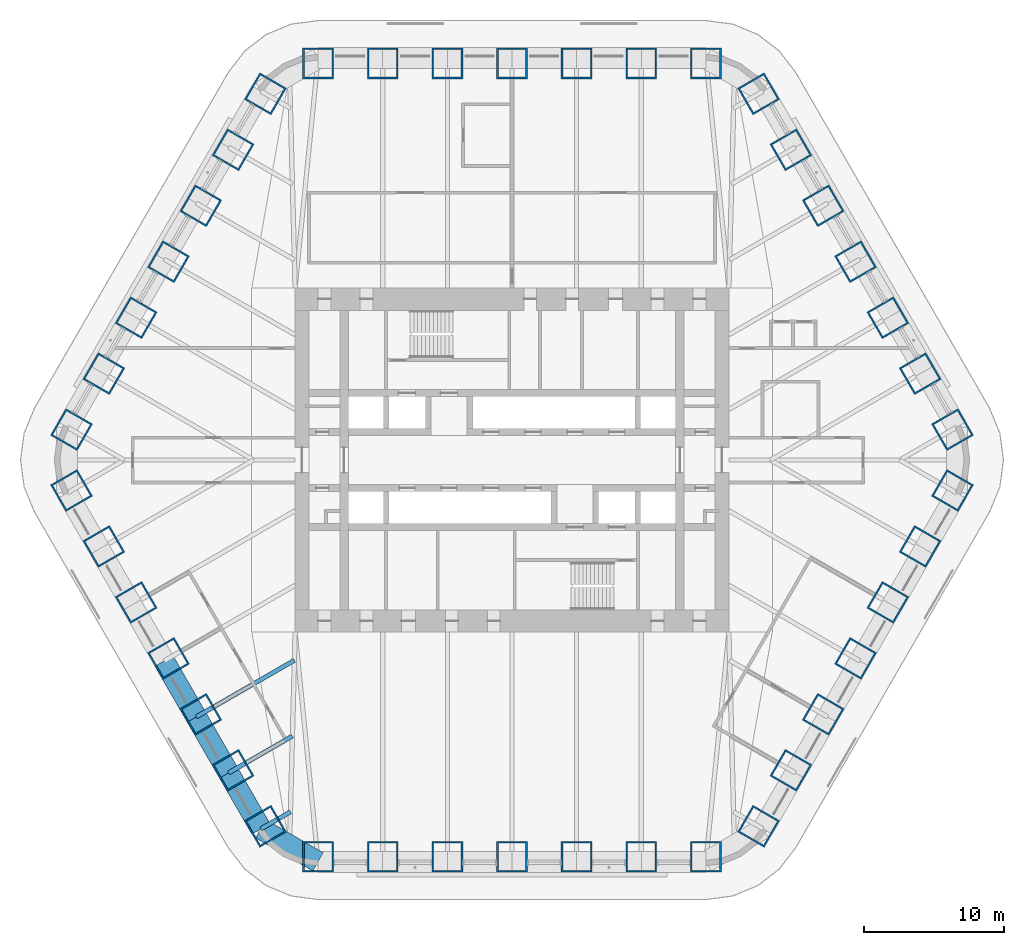
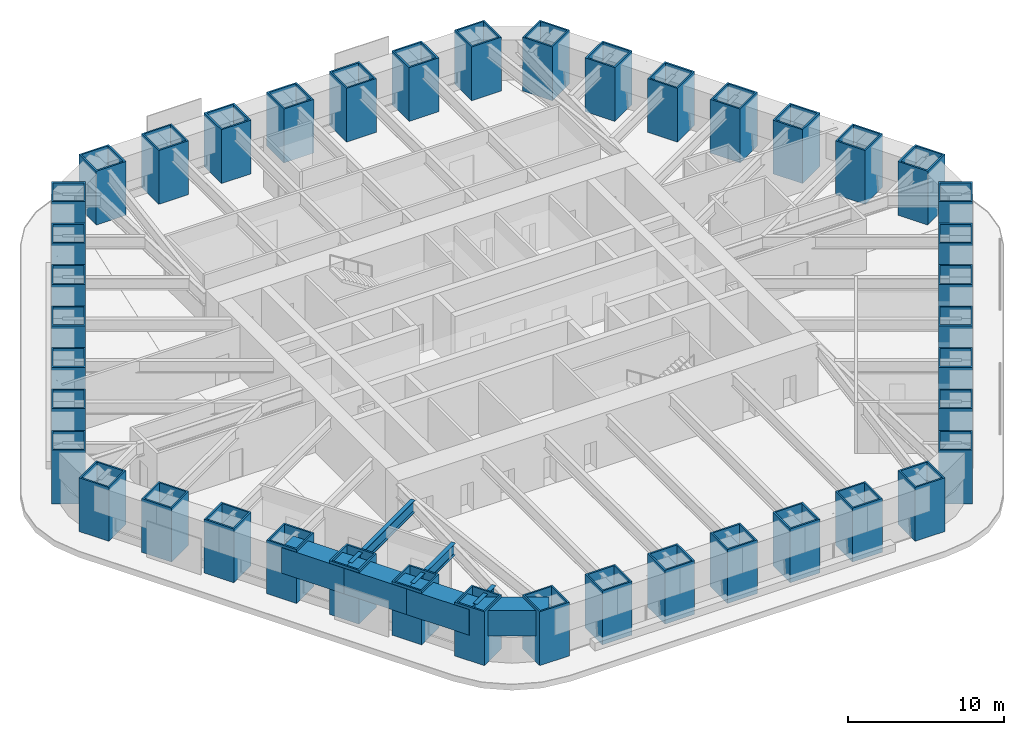
# One storey, part 1 of 20: 42 columns, 7 beams.
"""IFC4 building model written with IfcOpenShell, lengths in metres."""

from ifc_helpers import new_model, si_unit, direction, frame, origin, origin_2d, place, context, subcontext, project, spatial, rectangle, hollow_rectangle, i_section, extrude, material, material_profile, profile_set, type_object, element, save


model = new_model("IFC4")

# Units and contexts
model_context = context("Model", 3, precision=1e-05, world=origin(), true_north=direction((0.0, 1.0)))
body_context = subcontext(model_context, "Body", "Model", "MODEL_VIEW")
ifc_project = project(units=[si_unit("LENGTHUNIT", "METRE"), si_unit("AREAUNIT", "SQUARE_METRE"), si_unit("VOLUMEUNIT", "CUBIC_METRE"), si_unit("PLANEANGLEUNIT", "RADIAN"), si_unit("MASSUNIT", "GRAM", prefix="KILO")], contexts=[model_context])

# Site, building, storey
site_placement = place(None, origin())
site = spatial("IfcSite", under=ifc_project, at=site_placement, CompositionType="ELEMENT")
building_placement = place(site_placement, origin())
building = spatial("IfcBuilding", under=site, at=building_placement, Name="Tarfa Lantern Tower", CompositionType="ELEMENT")
storey_placement = place(building_placement, frame((0.0, 0.0, 215.5)))
storey = spatial("IfcBuildingStorey", under=building, at=storey_placement, Name="L48", CompositionType="ELEMENT", Elevation=215.5)

# Columns
ifc_material_1 = material(Name="Steel S460M", Category="steel")
ifc_material_profile_1 = material_profile(ifc_material_1, hollow_rectangle(XDim=2.199951171875, YDim=2.199951171875, WallThickness=0.1201171875, at=origin_2d()), Name="BOX2200x2200x120")
ifc_profile_set_1 = profile_set([ifc_material_profile_1], Name="Steel S460M")
column_type = type_object("IfcColumnType", Name="TU2 BOX2200x2200x120", PredefinedType="COLUMN", material=ifc_profile_set_1)
for number, where, z_axis, x_axis, name in (
    (1, (31.47998046875, 2.175048828125, 0.0), (0.0, 0.0, 1.0), (-0.5, 0.866025403784, 0.0), "Tube column NE0"),
    (2, (29.170654296875, 6.175048828125, 0.0), (0.0, 0.0, 1.0), (-0.5, 0.866025403784, 0.0), "Tube column NE1"),
    (3, (26.861328125, 10.175048828125, 0.0), (0.0, 0.0, 1.0), (-0.5, 0.866025403784, 0.0), "Tube column NE2"),
    (4, (24.5517578125, 14.175048828125, 0.0), (0.0, 0.0, 1.0), (-0.5, 0.866025403784, 0.0), "Tube column NE3"),
    (5, (22.242431640625, 18.175048828125, 0.0), (0.0, 0.0, 1.0), (-0.5, 0.866025403784, 0.0), "Tube column NE4"),
    (6, (19.93310546875, 22.175048828125, 0.0), (0.0, 0.0, 1.0), (-0.5, 0.866025403784, 0.0), "Tube column NE5"),
    (7, (17.62353515625, 26.175048828125, 0.0), (0.0, 0.0, 1.0), (-0.5, 0.866025403784, 0.0), "Tube column NE6"),
    (8, (13.8564453125, 28.35009765625, 0.0), (0.0, 0.0, 1.0), (-1.0, 0.0, 0.0), "Tube column N0"),
    (9, (9.237548828125, 28.35009765625, 0.0), (0.0, 0.0, 1.0), (-1.0, 0.0, 0.0), "Tube column N1"),
    (10, (4.618896484375, 28.35009765625, 0.0), (0.0, 0.0, 1.0), (-1.0, 0.0, 0.0), "Tube column N2"),
    (11, (0.0, 28.35009765625, 0.0), (0.0, 0.0, 1.0), (-1.0, 0.0, 0.0), "Tube column N3"),
    (12, (-4.618896484375, 28.35009765625, 0.0), (0.0, 0.0, 1.0), (-1.0, 0.0, 0.0), "Tube column N4"),
    (13, (-9.237548828125, 28.35009765625, 0.0), (0.0, 0.0, 1.0), (-1.0, 0.0, 0.0), "Tube column N5"),
    (14, (-13.8564453125, 28.35009765625, 0.0), (0.0, 0.0, 1.0), (-1.0, 0.0, 0.0), "Tube column N6"),
    (15, (-17.62353515625, 26.175048828125, 0.0), (0.0, 0.0, 1.0), (-0.5, -0.866025403784, 0.0), "Tube column NW0"),
    (16, (-19.93310546875, 22.175048828125, 0.0), (0.0, 0.0, 1.0), (-0.5, -0.866025403784, 0.0), "Tube column NW1"),
    (17, (-22.242431640625, 18.175048828125, 0.0), (0.0, 0.0, 1.0), (-0.5, -0.866025403784, 0.0), "Tube column NW2"),
    (18, (-24.5517578125, 14.175048828125, 0.0), (0.0, 0.0, 1.0), (-0.5, -0.866025403784, 0.0), "Tube column NW3"),
    (19, (-26.861328125, 10.175048828125, 0.0), (0.0, 0.0, 1.0), (-0.5, -0.866025403784, 0.0), "Tube column NW4"),
    (20, (-29.170654296875, 6.175048828125, 0.0), (0.0, 0.0, 1.0), (-0.5, -0.866025403784, 0.0), "Tube column NW5"),
    (21, (-31.47998046875, 2.175048828125, 0.0), (0.0, 0.0, 1.0), (-0.5, -0.866025403784, 0.0), "Tube column NW6"),
    (22, (-31.47998046875, -2.175048828125, 0.0), (0.0, 0.0, 1.0), (0.5, -0.866025403784, 0.0), "Tube column SW0"),
    (23, (-29.170654296875, -6.175048828125, 0.0), (0.0, 0.0, 1.0), (0.5, -0.866025403784, 0.0), "Tube column SW1"),
    (24, (-26.861328125, -10.175048828125, 0.0), (0.0, 0.0, 1.0), (0.5, -0.866025403784, 0.0), "Tube column SW2"),
    (25, (-24.5517578125, -14.175048828125, 0.0), (0.0, 0.0, 1.0), (0.5, -0.866025403784, 0.0), "Tube column SW3"),
    (26, (-22.242431640625, -18.175048828125, 0.0), (0.0, 0.0, 1.0), (0.5, -0.866025403784, 0.0), "Tube column SW4"),
    (27, (-19.93310546875, -22.175048828125, 0.0), (0.0, 0.0, 1.0), (0.5, -0.866025403784, 0.0), "Tube column SW5"),
    (28, (-17.62353515625, -26.175048828125, 0.0), (0.0, 0.0, 1.0), (0.5, -0.866025403784, 0.0), "Tube column SW6"),
    (29, (-13.8564453125, -28.35009765625, 0.0), (0.0, 0.0, 1.0), (1.0, 0.0, 0.0), "Tube column S0"),
    (30, (-9.237548828125, -28.35009765625, 0.0), (0.0, 0.0, 1.0), (1.0, 0.0, 0.0), "Tube column S1"),
    (31, (-4.618896484375, -28.35009765625, 0.0), (0.0, 0.0, 1.0), (1.0, 0.0, 0.0), "Tube column S2"),
    (32, (0.0, -28.35009765625, 0.0), (0.0, 0.0, 1.0), (1.0, 0.0, 0.0), "Tube column S3"),
    (33, (4.618896484375, -28.35009765625, 0.0), (0.0, 0.0, 1.0), (1.0, 0.0, 0.0), "Tube column S4"),
    (34, (9.237548828125, -28.35009765625, 0.0), (0.0, 0.0, 1.0), (1.0, 0.0, 0.0), "Tube column S5"),
    (35, (13.8564453125, -28.35009765625, 0.0), (0.0, 0.0, 1.0), (1.0, 0.0, 0.0), "Tube column S6"),
    (36, (17.62353515625, -26.175048828125, 0.0), (0.0, 0.0, 1.0), (0.5, 0.866025403784, 0.0), "Tube column SE0"),
    (37, (19.93310546875, -22.175048828125, 0.0), (0.0, 0.0, 1.0), (0.5, 0.866025403784, 0.0), "Tube column SE1"),
    (38, (22.242431640625, -18.175048828125, 0.0), (0.0, 0.0, 1.0), (0.5, 0.866025403784, 0.0), "Tube column SE2"),
    (39, (24.5517578125, -14.175048828125, 0.0), (0.0, 0.0, 1.0), (0.5, 0.866025403784, 0.0), "Tube column SE3"),
    (40, (26.861328125, -10.175048828125, 0.0), (0.0, 0.0, 1.0), (0.5, 0.866025403784, 0.0), "Tube column SE4"),
    (41, (29.170654296875, -6.175048828125, 0.0), (0.0, 0.0, 1.0), (0.5, 0.866025403784, 0.0), "Tube column SE5"),
    (42, (31.47998046875, -2.175048828125, 0.0), (0.0, 0.0, 1.0), (0.5, 0.866025403784, 0.0), "Tube column SE6"),
):
    element("IfcColumn", number, at=place(storey_placement, frame(where, z_axis=z_axis, x_axis=x_axis)), inside=storey, type_object=column_type, Name=name, PredefinedType="COLUMN", context=body_context, shape_type="SweptSolid", body=[
        extrude(hollow_rectangle(XDim=2.199951171875, YDim=2.199951171875, WallThickness=0.1201171875, at=origin_2d()), origin(), (0.0, 0.0, 1.0), 4.199951171875),
    ])

# Beams
ifc_material_2 = material(Name="Concrete C80/95", Category="concrete")
ifc_material_profile_2 = material_profile(ifc_material_2, rectangle(XDim=1.5, YDim=2.0, at=origin_2d()), Name="RC 1500x2000")
ifc_profile_set_2 = profile_set([ifc_material_profile_2], Name="Concrete C80/95")
beam_type_1 = type_object("IfcBeamType", Name="RB3 RC 1500x2000", PredefinedType="BEAM", material=ifc_profile_set_2)
beam_1_placement = place(storey_placement, frame((-24.872314453125, -14.360107421875, 3.0), z_axis=(0.500027479704, -0.866009537788, 0.0), x_axis=(0.866009537788, 0.500027479704, 0.0)))
element("IfcBeam", 43, at=beam_1_placement, inside=storey, type_object=beam_type_1, Name="Edge beam SW3", PredefinedType="BEAM", context=body_context, shape_type="SweptSolid", body=[
    extrude(rectangle(XDim=1.5, YDim=2.0, at=origin_2d()), origin(), (0.0, 0.0, 1.0), 4.618896484375),
])
for number, where, z_axis, x_axis, name in (
    (44, (-22.562744140625, -18.360107421875, 3.0), (0.499987836815, -0.866032426089, 0.0), (0.866032426089, 0.499987836815, 0.0), "Edge beam SW4"),
    (45, (-20.25341796875, -22.360107421875, 3.0), (0.499987836815, -0.866032426089, 0.0), (0.866032426089, 0.499987836815, 0.0), "Edge beam SW5"),
):
    element("IfcBeam", number, at=place(storey_placement, frame(where, z_axis=z_axis, x_axis=x_axis)), inside=storey, type_object=beam_type_1, Name=name, PredefinedType="BEAM", context=body_context, shape_type="SweptSolid", body=[
        extrude(rectangle(XDim=1.5, YDim=2.0, at=origin_2d()), origin(), (0.0, 0.0, 1.0), 4.61865234375),
    ])
beam_2_placement = place(storey_placement, frame((-17.944091796875, -26.360107421875, 3.0), z_axis=(0.866038294681, -0.499977671647, 0.0), x_axis=(0.499977671647, 0.866038294681, 0.0)))
element("IfcBeam", 46, at=beam_2_placement, inside=storey, type_object=beam_type_1, Name="Edge beam SW6", PredefinedType="BEAM", context=body_context, shape_type="SweptSolid", body=[
    extrude(rectangle(XDim=1.5, YDim=2.0, at=origin_2d()), origin(), (0.0, 0.0, 1.0), 4.719970703125),
])
ifc_material_profile_3 = material_profile(ifc_material_1, i_section(OverallWidth=0.305419921875, OverallDepth=0.91845703125, WebThickness=0.017333984375, FlangeThickness=0.02783203125, FilletRadius=0.01904296875, at=origin_2d()), Name="UB914x305x253")
ifc_profile_set_3 = profile_set([ifc_material_profile_3], Name="Steel S460M")
beam_type_2 = type_object("IfcBeamType", Name="UB914x305x253", PredefinedType="BEAM", material=ifc_profile_set_3)
beam_3_placement = place(storey_placement, frame((-22.562744140625, -18.360107421875, 3.540771484375), z_axis=(0.866010787764, 0.500025314835, 0.0), x_axis=(-0.500025314835, 0.866010787764, 0.0)))
element("IfcBeam", 47, at=beam_3_placement, inside=storey, type_object=beam_type_2, Name="Floor beam SW4", PredefinedType="BEAM", context=body_context, shape_type="SweptSolid", body=[
    extrude(i_section(OverallWidth=0.305419921875, OverallDepth=0.91845703125, WebThickness=0.017333984375, FlangeThickness=0.02783203125, FilletRadius=0.01904296875, at=origin_2d()), origin(), (0.0, 0.0, 1.0), 8.09423828125),
])
beam_4_placement = place(storey_placement, frame((-20.25341796875, -22.360107421875, 3.540771484375), z_axis=(0.86601951648, 0.500010196972, 0.0), x_axis=(-0.500010196972, 0.86601951648, 0.0)))
element("IfcBeam", 48, at=beam_4_placement, inside=storey, type_object=beam_type_2, Name="Floor beam SW5", PredefinedType="BEAM", context=body_context, shape_type="SweptSolid", body=[
    extrude(i_section(OverallWidth=0.305419921875, OverallDepth=0.91845703125, WebThickness=0.017333984375, FlangeThickness=0.02783203125, FilletRadius=0.01904296875, at=origin_2d()), origin(), (0.0, 0.0, 1.0), 5.263671875),
])
beam_5_placement = place(storey_placement, frame((-17.944091796875, -26.360107421875, 3.540771484375), z_axis=(0.865980009423, 0.5000786171, 0.0), x_axis=(-0.5000786171, 0.865980009423, 0.0)))
element("IfcBeam", 49, at=beam_5_placement, inside=storey, type_object=beam_type_2, Name="Floor beam SW6", PredefinedType="BEAM", context=body_context, shape_type="SweptSolid", body=[
    extrude(i_section(OverallWidth=0.305419921875, OverallDepth=0.91845703125, WebThickness=0.017333984375, FlangeThickness=0.02783203125, FilletRadius=0.01904296875, at=origin_2d()), origin(), (0.0, 0.0, 1.0), 2.4326171875),
])

save(model, "model.ifc")
